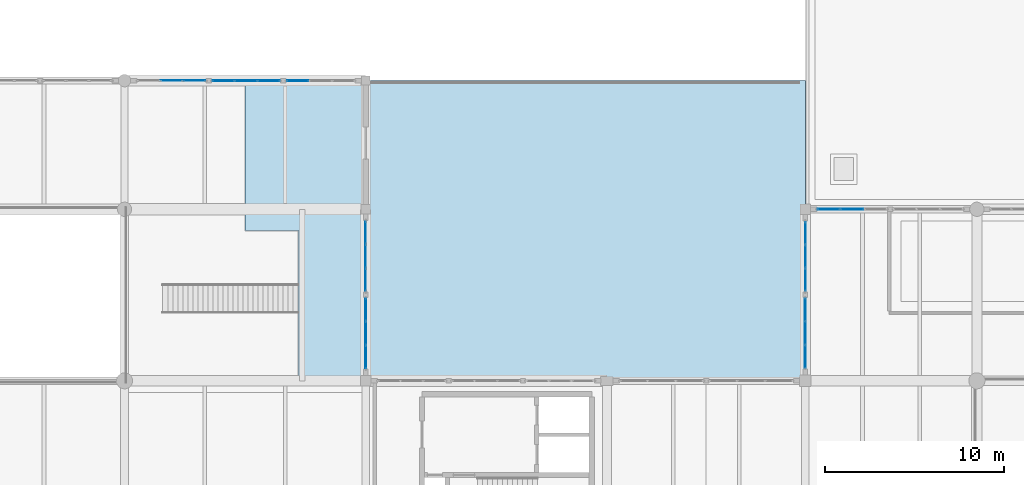
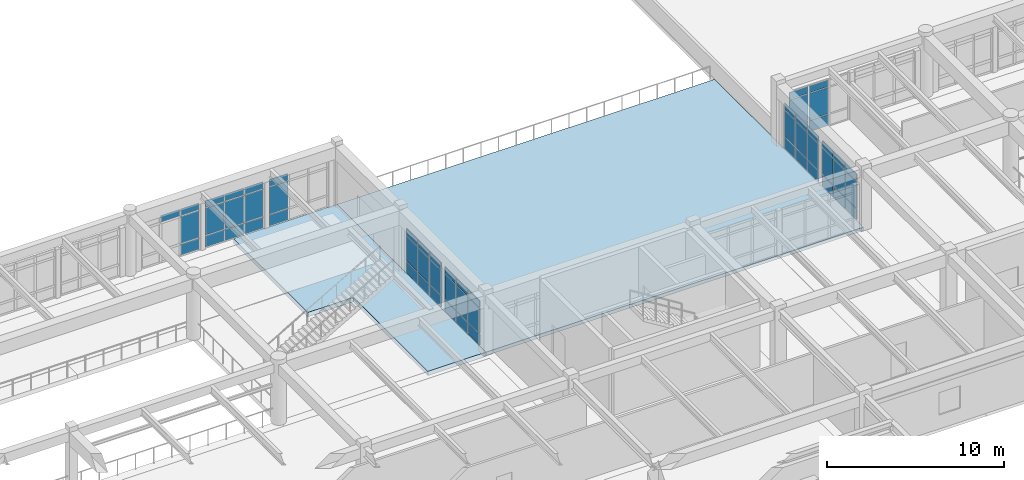
# One storey, part 73 of 109: 58 plates, 2 slabs, 8 elements without a shape of their own.
"""IFC4 building model written with IfcOpenShell, lengths in metres."""

from ifc_helpers import new_model, si_unit, direction, frame, origin, origin_2d, place, context, subcontext, project, spatial, polyline, rectangle, outline, extrude, material, layer, layer_set, type_object, element, aggregate, save


model = new_model("IFC4")

# Units and contexts
model_context = context("Model", 3, precision=1e-05, world=origin(), true_north=direction((0.0, 1.0)))
body_context = subcontext(model_context, "Body", "Model", "MODEL_VIEW")
ifc_project = project(units=[si_unit("LENGTHUNIT", "METRE"), si_unit("AREAUNIT", "SQUARE_METRE"), si_unit("VOLUMEUNIT", "CUBIC_METRE"), si_unit("PLANEANGLEUNIT", "RADIAN"), si_unit("MASSUNIT", "GRAM", prefix="KILO")], contexts=[model_context])

# Site, building, storey
site_placement = place(None, origin())
site = spatial("IfcSite", under=ifc_project, at=site_placement, CompositionType="ELEMENT")
building_placement = place(site_placement, origin())
building = spatial("IfcBuilding", under=site, at=building_placement, Name="Fikremerkos Civic Library", CompositionType="ELEMENT")
storey_placement = place(building_placement, frame((0.0, 0.0, 5.39990234375)))
storey = spatial("IfcBuildingStorey", under=building, at=storey_placement, Name="L01", CompositionType="ELEMENT", Elevation=5.39990234375)

# Curtain wall, plates
ifc_material_1 = material(Name="Anodized aluminium Frame", Category="aluminium")
ifc_layer_1 = layer(ifc_material_1, 0.159912109375, Name="Anodized aluminium Frame")
ifc_layer_set_1 = layer_set([ifc_layer_1], Name="Anodized aluminium Frame")
curtain_wall_type_1 = type_object("IfcCurtainWallType", Name="Unitised curtain wall CW-05 3800x4100", PredefinedType="USERDEFINED", material=ifc_layer_set_1)
curtain_wall_1_placement = place(storey_placement, origin())
curtain_wall_1 = element("IfcCurtainWall", 1, at=curtain_wall_1_placement, inside=storey, type_object=curtain_wall_type_1, Name="Unitised curtain wall CW-05 L01 #95", ObjectType="UNITISED CURTAIN WALL", PredefinedType="USERDEFINED")
ifc_material_2 = material(Name="Solar control double glazing", Category="glass")
ifc_layer_2 = layer(ifc_material_2, 0.028076171875, Name="Solar control double glazing")
ifc_layer_set_2 = layer_set([ifc_layer_2], Name="Solar control double glazing")
plate_type_1 = type_object("IfcPlateType", Name="Curtain glazing panel CWP-01 28", PredefinedType="CURTAIN_PANEL", material=ifc_layer_set_2)
plate_1_placement = place(storey_placement, frame((100.199951171875, 39.49169921875, 0.06005859375), z_axis=(0.0, 0.0, 1.0), x_axis=(0.0, -1.0, 0.0)))
plate_1 = element("IfcPlate", 2, at=plate_1_placement, type_object=plate_type_1, Name="CW-05 panel 1.1", PredefinedType="CURTAIN_PANEL", context=body_context, shape_type="SweptSolid", body=[
    extrude(rectangle(XDim=1.24072265625, YDim=0.028076171875, at=origin_2d()), origin(), (0.0, 0.0, 1.0), 0.760009765625),
])
plate_2_placement = place(storey_placement, frame((100.199951171875, 39.49169921875, 0.880126953125), z_axis=(0.0, 0.0, 1.0), x_axis=(0.0, -1.0, 0.0)))
plate_2 = element("IfcPlate", 3, at=plate_2_placement, type_object=plate_type_1, Name="CW-05 panel 1.2", PredefinedType="CURTAIN_PANEL", context=body_context, shape_type="SweptSolid", body=[
    extrude(rectangle(XDim=1.24072265625, YDim=0.028076171875, at=origin_2d()), origin(), (0.0, 0.0, 1.0), 1.7099609375),
])
plate_3_placement = place(storey_placement, frame((100.199951171875, 39.49169921875, 2.650146484375), z_axis=(0.0, 0.0, 1.0), x_axis=(0.0, -1.0, 0.0)))
plate_3 = element("IfcPlate", 4, at=plate_3_placement, type_object=plate_type_1, Name="CW-05 panel 1.3", PredefinedType="CURTAIN_PANEL", context=body_context, shape_type="SweptSolid", body=[
    extrude(rectangle(XDim=1.24072265625, YDim=0.028076171875, at=origin_2d()), origin(), (0.0, 0.0, 1.0), 0.4599609375),
])
plate_4_placement = place(storey_placement, frame((100.199951171875, 38.169677734375, 0.06005859375), z_axis=(0.0, 0.0, 1.0), x_axis=(0.0, -1.0, 0.0)))
plate_4 = element("IfcPlate", 5, at=plate_4_placement, type_object=plate_type_1, Name="CW-05 panel 2.1", PredefinedType="CURTAIN_PANEL", context=body_context, shape_type="SweptSolid", body=[
    extrude(rectangle(XDim=1.273193359375, YDim=0.028076171875, at=origin_2d()), origin(), (0.0, 0.0, 1.0), 0.760009765625),
])
plate_5_placement = place(storey_placement, frame((100.199951171875, 38.169677734375, 0.880126953125), z_axis=(0.0, 0.0, 1.0), x_axis=(0.0, -1.0, 0.0)))
plate_5 = element("IfcPlate", 6, at=plate_5_placement, type_object=plate_type_1, Name="CW-05 panel 2.2", PredefinedType="CURTAIN_PANEL", context=body_context, shape_type="SweptSolid", body=[
    extrude(rectangle(XDim=1.273193359375, YDim=0.028076171875, at=origin_2d()), origin(), (0.0, 0.0, 1.0), 1.7099609375),
])
plate_6_placement = place(storey_placement, frame((100.199951171875, 38.169677734375, 2.650146484375), z_axis=(0.0, 0.0, 1.0), x_axis=(0.0, -1.0, 0.0)))
plate_6 = element("IfcPlate", 7, at=plate_6_placement, type_object=plate_type_1, Name="CW-05 panel 2.3", PredefinedType="CURTAIN_PANEL", context=body_context, shape_type="SweptSolid", body=[
    extrude(rectangle(XDim=1.273193359375, YDim=0.028076171875, at=origin_2d()), origin(), (0.0, 0.0, 1.0), 0.4599609375),
])
plate_7_placement = place(storey_placement, frame((100.199951171875, 36.847900390625, 0.06005859375), z_axis=(0.0, 0.0, 1.0), x_axis=(0.0, -1.0, 0.0)))
plate_7 = element("IfcPlate", 8, at=plate_7_placement, type_object=plate_type_1, Name="CW-05 panel 3.1", PredefinedType="CURTAIN_PANEL", context=body_context, shape_type="SweptSolid", body=[
    extrude(rectangle(XDim=1.24072265625, YDim=0.028076171875, at=origin_2d()), origin(), (0.0, 0.0, 1.0), 0.760009765625),
])
plate_8_placement = place(storey_placement, frame((100.199951171875, 36.847900390625, 0.880126953125), z_axis=(0.0, 0.0, 1.0), x_axis=(0.0, -1.0, 0.0)))
plate_8 = element("IfcPlate", 9, at=plate_8_placement, type_object=plate_type_1, Name="CW-05 panel 3.2", PredefinedType="CURTAIN_PANEL", context=body_context, shape_type="SweptSolid", body=[
    extrude(rectangle(XDim=1.24072265625, YDim=0.028076171875, at=origin_2d()), origin(), (0.0, 0.0, 1.0), 1.7099609375),
])
plate_9_placement = place(storey_placement, frame((100.199951171875, 36.847900390625, 2.650146484375), z_axis=(0.0, 0.0, 1.0), x_axis=(0.0, -1.0, 0.0)))
plate_9 = element("IfcPlate", 10, at=plate_9_placement, type_object=plate_type_1, Name="CW-05 panel 3.3", PredefinedType="CURTAIN_PANEL", context=body_context, shape_type="SweptSolid", body=[
    extrude(rectangle(XDim=1.24072265625, YDim=0.028076171875, at=origin_2d()), origin(), (0.0, 0.0, 1.0), 0.4599609375),
])
aggregate(curtain_wall_1, [plate_1, plate_2, plate_3, plate_4, plate_5, plate_6, plate_7, plate_8, plate_9])

ifc_layer_3 = layer(ifc_material_1, 0.159912109375, Name="Anodized aluminium Frame")
ifc_layer_set_3 = layer_set([ifc_layer_3], Name="Anodized aluminium Frame")
curtain_wall_type_2 = type_object("IfcCurtainWallType", Name="Unitised curtain wall CW-13 3700x3200", PredefinedType="USERDEFINED", material=ifc_layer_set_3)
curtain_wall_2_placement = place(storey_placement, origin())
curtain_wall_2 = element("IfcCurtainWall", 11, at=curtain_wall_2_placement, inside=storey, type_object=curtain_wall_type_2, Name="Unitised curtain wall CW-13 L01 #103", ObjectType="UNITISED CURTAIN WALL", PredefinedType="USERDEFINED")
plate_10_placement = place(storey_placement, frame((124.800048828125, 36.84375, 0.06005859375), z_axis=(0.0, 0.0, 1.0), x_axis=(0.0, 1.0, 0.0)))
plate_10 = element("IfcPlate", 12, at=plate_10_placement, type_object=plate_type_1, Name="CW-13 panel 1.1", PredefinedType="CURTAIN_PANEL", context=body_context, shape_type="SweptSolid", body=[
    extrude(rectangle(XDim=1.232421875, YDim=0.028076171875, at=origin_2d()), origin(), (0.0, 0.0, 1.0), 0.760009765625),
])
plate_11_placement = place(storey_placement, frame((124.800048828125, 36.84375, 0.8798828125), z_axis=(0.0, 0.0, 1.0), x_axis=(0.0, 1.0, 0.0)))
plate_11 = element("IfcPlate", 13, at=plate_11_placement, type_object=plate_type_1, Name="CW-13 panel 1.2", PredefinedType="CURTAIN_PANEL", context=body_context, shape_type="SweptSolid", body=[
    extrude(rectangle(XDim=1.232421875, YDim=0.028076171875, at=origin_2d()), origin(), (0.0, 0.0, 1.0), 1.800048828125),
])
plate_12_placement = place(storey_placement, frame((124.800048828125, 36.84375, 2.740234375), z_axis=(0.0, 0.0, 1.0), x_axis=(0.0, 1.0, 0.0)))
plate_12 = element("IfcPlate", 14, at=plate_12_placement, type_object=plate_type_1, Name="CW-13 panel 1.3", PredefinedType="CURTAIN_PANEL", context=body_context, shape_type="SweptSolid", body=[
    extrude(rectangle(XDim=1.232421875, YDim=0.028076171875, at=origin_2d()), origin(), (0.0, 0.0, 1.0), 0.4599609375),
])
plate_13_placement = place(storey_placement, frame((124.800048828125, 38.1572265625, 0.06005859375), z_axis=(0.0, 0.0, 1.0), x_axis=(0.0, 1.0, 0.0)))
plate_13 = element("IfcPlate", 15, at=plate_13_placement, type_object=plate_type_1, Name="CW-13 panel 2.1", PredefinedType="CURTAIN_PANEL", context=body_context, shape_type="SweptSolid", body=[
    extrude(rectangle(XDim=1.264892578125, YDim=0.028076171875, at=origin_2d()), origin(), (0.0, 0.0, 1.0), 0.760009765625),
])
plate_14_placement = place(storey_placement, frame((124.800048828125, 38.1572265625, 0.8798828125), z_axis=(0.0, 0.0, 1.0), x_axis=(0.0, 1.0, 0.0)))
plate_14 = element("IfcPlate", 16, at=plate_14_placement, type_object=plate_type_1, Name="CW-13 panel 2.2", PredefinedType="CURTAIN_PANEL", context=body_context, shape_type="SweptSolid", body=[
    extrude(rectangle(XDim=1.264892578125, YDim=0.028076171875, at=origin_2d()), origin(), (0.0, 0.0, 1.0), 1.800048828125),
])
plate_15_placement = place(storey_placement, frame((124.800048828125, 38.1572265625, 2.740234375), z_axis=(0.0, 0.0, 1.0), x_axis=(0.0, 1.0, 0.0)))
plate_15 = element("IfcPlate", 17, at=plate_15_placement, type_object=plate_type_1, Name="CW-13 panel 2.3", PredefinedType="CURTAIN_PANEL", context=body_context, shape_type="SweptSolid", body=[
    extrude(rectangle(XDim=1.264892578125, YDim=0.028076171875, at=origin_2d()), origin(), (0.0, 0.0, 1.0), 0.4599609375),
])
plate_16_placement = place(storey_placement, frame((124.800048828125, 39.470947265625, 0.06005859375), z_axis=(0.0, 0.0, 1.0), x_axis=(0.0, 1.0, 0.0)))
plate_16 = element("IfcPlate", 18, at=plate_16_placement, type_object=plate_type_1, Name="CW-13 panel 3.1", PredefinedType="CURTAIN_PANEL", context=body_context, shape_type="SweptSolid", body=[
    extrude(rectangle(XDim=1.232421875, YDim=0.028076171875, at=origin_2d()), origin(), (0.0, 0.0, 1.0), 0.760009765625),
])
plate_17_placement = place(storey_placement, frame((124.800048828125, 39.470947265625, 0.8798828125), z_axis=(0.0, 0.0, 1.0), x_axis=(0.0, 1.0, 0.0)))
plate_17 = element("IfcPlate", 19, at=plate_17_placement, type_object=plate_type_1, Name="CW-13 panel 3.2", PredefinedType="CURTAIN_PANEL", context=body_context, shape_type="SweptSolid", body=[
    extrude(rectangle(XDim=1.232421875, YDim=0.028076171875, at=origin_2d()), origin(), (0.0, 0.0, 1.0), 1.800048828125),
])
plate_18_placement = place(storey_placement, frame((124.800048828125, 39.470947265625, 2.740234375), z_axis=(0.0, 0.0, 1.0), x_axis=(0.0, 1.0, 0.0)))
plate_18 = element("IfcPlate", 20, at=plate_18_placement, type_object=plate_type_1, Name="CW-13 panel 3.3", PredefinedType="CURTAIN_PANEL", context=body_context, shape_type="SweptSolid", body=[
    extrude(rectangle(XDim=1.232421875, YDim=0.028076171875, at=origin_2d()), origin(), (0.0, 0.0, 1.0), 0.4599609375),
])
aggregate(curtain_wall_2, [plate_10, plate_11, plate_12, plate_13, plate_14, plate_15, plate_16, plate_17, plate_18])

ifc_layer_4 = layer(ifc_material_1, 0.159912109375, Name="Anodized aluminium Frame")
ifc_layer_set_4 = layer_set([ifc_layer_4], Name="Anodized aluminium Frame")
curtain_wall_type_3 = type_object("IfcCurtainWallType", Name="Unitised curtain wall CW-02 3900x3600", PredefinedType="USERDEFINED", material=ifc_layer_set_4)
curtain_wall_3_placement = place(storey_placement, origin())
curtain_wall_3 = element("IfcCurtainWall", 21, at=curtain_wall_3_placement, inside=storey, type_object=curtain_wall_type_3, Name="Unitised curtain wall CW-02 L01 #92", ObjectType="UNITISED CURTAIN WALL", PredefinedType="USERDEFINED")
ifc_layer_5 = layer(ifc_material_2, 0.035888671875, Name="Solar control double glazing")
ifc_layer_set_5 = layer_set([ifc_layer_5], Name="Solar control double glazing")
plate_type_2 = type_object("IfcPlateType", Name="Curtain glazing panel CWP-02 36", PredefinedType="CURTAIN_PANEL", material=ifc_layer_set_5)
plate_19_placement = place(storey_placement, frame((89.33203125, 48.0, 2.794921875), z_axis=(0.0, 0.0, 1.0), x_axis=(1.0, 0.0, 0.0)))
plate_19 = element("IfcPlate", 22, at=plate_19_placement, type_object=plate_type_2, Name="CW-02 panel 2.3", PredefinedType="CURTAIN_PANEL", context=body_context, shape_type="SweptSolid", body=[
    extrude(rectangle(XDim=1.229248046875, YDim=0.035888671875, at=origin_2d()), origin(), (0.0, 0.0, 1.0), 0.445068359375),
])
plate_20_placement = place(storey_placement, frame((90.6064453125, 48.0, 0.070068359375), z_axis=(0.0, 0.0, 1.0), x_axis=(1.0, 0.0, 0.0)))
plate_20 = element("IfcPlate", 23, at=plate_20_placement, type_object=plate_type_2, Name="CW-02 panel 3.1", PredefinedType="CURTAIN_PANEL", context=body_context, shape_type="SweptSolid", body=[
    extrude(rectangle(XDim=1.19921875, YDim=0.035888671875, at=origin_2d()), origin(), (0.0, 0.0, 1.0), 0.7451171875),
])
plate_21_placement = place(storey_placement, frame((90.6064453125, 48.0, 0.88525390625), z_axis=(0.0, 0.0, 1.0), x_axis=(1.0, 0.0, 0.0)))
plate_21 = element("IfcPlate", 24, at=plate_21_placement, type_object=plate_type_2, Name="CW-02 panel 3.2", PredefinedType="CURTAIN_PANEL", context=body_context, shape_type="SweptSolid", body=[
    extrude(rectangle(XDim=1.19921875, YDim=0.035888671875, at=origin_2d()), origin(), (0.0, 0.0, 1.0), 1.840087890625),
])
plate_22_placement = place(storey_placement, frame((90.6064453125, 48.0, 2.794921875), z_axis=(0.0, 0.0, 1.0), x_axis=(1.0, 0.0, 0.0)))
plate_22 = element("IfcPlate", 25, at=plate_22_placement, type_object=plate_type_2, Name="CW-02 panel 3.3", PredefinedType="CURTAIN_PANEL", context=body_context, shape_type="SweptSolid", body=[
    extrude(rectangle(XDim=1.19921875, YDim=0.035888671875, at=origin_2d()), origin(), (0.0, 0.0, 1.0), 0.445068359375),
])
aggregate(curtain_wall_3, [plate_19, plate_20, plate_21, plate_22])

ifc_layer_6 = layer(ifc_material_1, 0.159912109375, Name="Anodized aluminium Frame")
ifc_layer_set_6 = layer_set([ifc_layer_6], Name="Anodized aluminium Frame")
curtain_wall_type_4 = type_object("IfcCurtainWallType", Name="Unitised curtain wall CW-06 4200x4100", PredefinedType="USERDEFINED", material=ifc_layer_set_6)
curtain_wall_4_placement = place(storey_placement, origin())
curtain_wall_4 = element("IfcCurtainWall", 26, at=curtain_wall_4_placement, inside=storey, type_object=curtain_wall_type_4, Name="Unitised curtain wall CW-06 L01 #96", ObjectType="UNITISED CURTAIN WALL", PredefinedType="USERDEFINED")
plate_23_placement = place(storey_placement, frame((100.199951171875, 35.178466796875, 0.06005859375), z_axis=(0.0, 0.0, 1.0), x_axis=(0.0, -1.0, 0.0)))
plate_23 = element("IfcPlate", 27, at=plate_23_placement, type_object=plate_type_2, Name="CW-06 panel 1.1", PredefinedType="CURTAIN_PANEL", context=body_context, shape_type="SweptSolid", body=[
    extrude(rectangle(XDim=1.248046875, YDim=0.035888671875, at=origin_2d()), origin(), (0.0, 0.0, 1.0), 0.760009765625),
])
plate_24_placement = place(storey_placement, frame((100.199951171875, 35.178466796875, 0.880126953125), z_axis=(0.0, 0.0, 1.0), x_axis=(0.0, -1.0, 0.0)))
plate_24 = element("IfcPlate", 28, at=plate_24_placement, type_object=plate_type_2, Name="CW-06 panel 1.2", PredefinedType="CURTAIN_PANEL", context=body_context, shape_type="SweptSolid", body=[
    extrude(rectangle(XDim=1.248046875, YDim=0.035888671875, at=origin_2d()), origin(), (0.0, 0.0, 1.0), 1.7099609375),
])
plate_25_placement = place(storey_placement, frame((100.199951171875, 35.178466796875, 2.650146484375), z_axis=(0.0, 0.0, 1.0), x_axis=(0.0, -1.0, 0.0)))
plate_25 = element("IfcPlate", 29, at=plate_25_placement, type_object=plate_type_2, Name="CW-06 panel 1.3", PredefinedType="CURTAIN_PANEL", context=body_context, shape_type="SweptSolid", body=[
    extrude(rectangle(XDim=1.248046875, YDim=0.035888671875, at=origin_2d()), origin(), (0.0, 0.0, 1.0), 0.4599609375),
])
plate_26_placement = place(storey_placement, frame((100.199951171875, 33.855224609375, 0.06005859375), z_axis=(0.0, 0.0, 1.0), x_axis=(0.0, -1.0, 0.0)))
plate_26 = element("IfcPlate", 30, at=plate_26_placement, type_object=plate_type_2, Name="CW-06 panel 2.1", PredefinedType="CURTAIN_PANEL", context=body_context, shape_type="SweptSolid", body=[
    extrude(rectangle(XDim=1.278076171875, YDim=0.035888671875, at=origin_2d()), origin(), (0.0, 0.0, 1.0), 0.760009765625),
])
plate_27_placement = place(storey_placement, frame((100.199951171875, 33.855224609375, 0.880126953125), z_axis=(0.0, 0.0, 1.0), x_axis=(0.0, -1.0, 0.0)))
plate_27 = element("IfcPlate", 31, at=plate_27_placement, type_object=plate_type_2, Name="CW-06 panel 2.2", PredefinedType="CURTAIN_PANEL", context=body_context, shape_type="SweptSolid", body=[
    extrude(rectangle(XDim=1.278076171875, YDim=0.035888671875, at=origin_2d()), origin(), (0.0, 0.0, 1.0), 1.7099609375),
])
plate_28_placement = place(storey_placement, frame((100.199951171875, 33.855224609375, 2.650146484375), z_axis=(0.0, 0.0, 1.0), x_axis=(0.0, -1.0, 0.0)))
plate_28 = element("IfcPlate", 32, at=plate_28_placement, type_object=plate_type_2, Name="CW-06 panel 2.3", PredefinedType="CURTAIN_PANEL", context=body_context, shape_type="SweptSolid", body=[
    extrude(rectangle(XDim=1.278076171875, YDim=0.035888671875, at=origin_2d()), origin(), (0.0, 0.0, 1.0), 0.4599609375),
])
plate_29_placement = place(storey_placement, frame((100.199951171875, 32.531982421875, 0.06005859375), z_axis=(0.0, 0.0, 1.0), x_axis=(0.0, -1.0, 0.0)))
plate_29 = element("IfcPlate", 33, at=plate_29_placement, type_object=plate_type_2, Name="CW-06 panel 3.1", PredefinedType="CURTAIN_PANEL", context=body_context, shape_type="SweptSolid", body=[
    extrude(rectangle(XDim=1.248046875, YDim=0.035888671875, at=origin_2d()), origin(), (0.0, 0.0, 1.0), 0.760009765625),
])
plate_30_placement = place(storey_placement, frame((100.199951171875, 32.531982421875, 0.880126953125), z_axis=(0.0, 0.0, 1.0), x_axis=(0.0, -1.0, 0.0)))
plate_30 = element("IfcPlate", 34, at=plate_30_placement, type_object=plate_type_2, Name="CW-06 panel 3.2", PredefinedType="CURTAIN_PANEL", context=body_context, shape_type="SweptSolid", body=[
    extrude(rectangle(XDim=1.248046875, YDim=0.035888671875, at=origin_2d()), origin(), (0.0, 0.0, 1.0), 1.7099609375),
])
plate_31_placement = place(storey_placement, frame((100.199951171875, 32.531982421875, 2.650146484375), z_axis=(0.0, 0.0, 1.0), x_axis=(0.0, -1.0, 0.0)))
plate_31 = element("IfcPlate", 35, at=plate_31_placement, type_object=plate_type_2, Name="CW-06 panel 3.3", PredefinedType="CURTAIN_PANEL", context=body_context, shape_type="SweptSolid", body=[
    extrude(rectangle(XDim=1.248046875, YDim=0.035888671875, at=origin_2d()), origin(), (0.0, 0.0, 1.0), 0.4599609375),
])
aggregate(curtain_wall_4, [plate_23, plate_24, plate_25, plate_26, plate_27, plate_28, plate_29, plate_30, plate_31])

ifc_layer_7 = layer(ifc_material_1, 0.159912109375, Name="Anodized aluminium Frame")
ifc_layer_set_7 = layer_set([ifc_layer_7], Name="Anodized aluminium Frame")
curtain_wall_type_5 = type_object("IfcCurtainWallType", Name="Unitised curtain wall CW-14 4100x3200", PredefinedType="USERDEFINED", material=ifc_layer_set_7)
curtain_wall_5_placement = place(storey_placement, origin())
curtain_wall_5 = element("IfcCurtainWall", 36, at=curtain_wall_5_placement, inside=storey, type_object=curtain_wall_type_5, Name="Unitised curtain wall CW-14 L01 #104", ObjectType="UNITISED CURTAIN WALL", PredefinedType="USERDEFINED")
plate_32_placement = place(storey_placement, frame((126.12158203125, 40.800048828125, 0.06005859375), z_axis=(0.0, 0.0, 1.0), x_axis=(1.0, 0.0, 0.0)))
plate_32 = element("IfcPlate", 37, at=plate_32_placement, type_object=plate_type_2, Name="CW-14 panel 1.1", PredefinedType="CURTAIN_PANEL", context=body_context, shape_type="SweptSolid", body=[
    extrude(rectangle(XDim=1.227294921875, YDim=0.035888671875, at=origin_2d()), origin(), (0.0, 0.0, 1.0), 0.760009765625),
])
plate_33_placement = place(storey_placement, frame((126.12158203125, 40.800048828125, 0.8798828125), z_axis=(0.0, 0.0, 1.0), x_axis=(1.0, 0.0, 0.0)))
plate_33 = element("IfcPlate", 38, at=plate_33_placement, type_object=plate_type_2, Name="CW-14 panel 1.2", PredefinedType="CURTAIN_PANEL", context=body_context, shape_type="SweptSolid", body=[
    extrude(rectangle(XDim=1.227294921875, YDim=0.035888671875, at=origin_2d()), origin(), (0.0, 0.0, 1.0), 1.800048828125),
])
plate_34_placement = place(storey_placement, frame((126.12158203125, 40.800048828125, 2.740234375), z_axis=(0.0, 0.0, 1.0), x_axis=(1.0, 0.0, 0.0)))
plate_34 = element("IfcPlate", 39, at=plate_34_placement, type_object=plate_type_2, Name="CW-14 panel 1.3", PredefinedType="CURTAIN_PANEL", context=body_context, shape_type="SweptSolid", body=[
    extrude(rectangle(XDim=1.227294921875, YDim=0.035888671875, at=origin_2d()), origin(), (0.0, 0.0, 1.0), 0.4599609375),
])
plate_35_placement = place(storey_placement, frame((127.424072265625, 40.800048828125, 0.06005859375), z_axis=(0.0, 0.0, 1.0), x_axis=(1.0, 0.0, 0.0)))
plate_35 = element("IfcPlate", 40, at=plate_35_placement, type_object=plate_type_2, Name="CW-14 panel 2.1", PredefinedType="CURTAIN_PANEL", context=body_context, shape_type="SweptSolid", body=[
    extrude(rectangle(XDim=1.25732421875, YDim=0.035888671875, at=origin_2d()), origin(), (0.0, 0.0, 1.0), 0.760009765625),
])
plate_36_placement = place(storey_placement, frame((127.424072265625, 40.800048828125, 0.8798828125), z_axis=(0.0, 0.0, 1.0), x_axis=(1.0, 0.0, 0.0)))
plate_36 = element("IfcPlate", 41, at=plate_36_placement, type_object=plate_type_2, Name="CW-14 panel 2.2", PredefinedType="CURTAIN_PANEL", context=body_context, shape_type="SweptSolid", body=[
    extrude(rectangle(XDim=1.25732421875, YDim=0.035888671875, at=origin_2d()), origin(), (0.0, 0.0, 1.0), 1.800048828125),
])
plate_37_placement = place(storey_placement, frame((127.424072265625, 40.800048828125, 2.740234375), z_axis=(0.0, 0.0, 1.0), x_axis=(1.0, 0.0, 0.0)))
plate_37 = element("IfcPlate", 42, at=plate_37_placement, type_object=plate_type_2, Name="CW-14 panel 2.3", PredefinedType="CURTAIN_PANEL", context=body_context, shape_type="SweptSolid", body=[
    extrude(rectangle(XDim=1.25732421875, YDim=0.035888671875, at=origin_2d()), origin(), (0.0, 0.0, 1.0), 0.4599609375),
])
aggregate(curtain_wall_5, [plate_32, plate_33, plate_34, plate_35, plate_36, plate_37])

ifc_layer_8 = layer(ifc_material_1, 0.159912109375, Name="Anodized aluminium Frame")
ifc_layer_set_8 = layer_set([ifc_layer_8], Name="Anodized aluminium Frame")
curtain_wall_type_6 = type_object("IfcCurtainWallType", Name="Unitised curtain wall CW-03 4100x3600", PredefinedType="USERDEFINED", material=ifc_layer_set_8)
curtain_wall_6_placement = place(storey_placement, origin())
curtain_wall_6 = element("IfcCurtainWall", 43, at=curtain_wall_6_placement, inside=storey, type_object=curtain_wall_type_6, Name="Unitised curtain wall CW-03 L01 #93", ObjectType="UNITISED CURTAIN WALL", PredefinedType="USERDEFINED")
ifc_material_3 = material(Name="Insulated aluminium spandrel", Category="aluminium")
ifc_layer_9 = layer(ifc_material_3, 0.044921875, Name="Insulated aluminium spandrel")
ifc_layer_set_9 = layer_set([ifc_layer_9], Name="Insulated aluminium spandrel")
plate_type_3 = type_object("IfcPlateType", Name="Curtain spandrel panel CSP-01 45", PredefinedType="CURTAIN_PANEL", material=ifc_layer_set_9)
plate_38_placement = place(storey_placement, frame((92.2255859375, 48.0, 0.065185546875), z_axis=(0.0, 0.0, 1.0), x_axis=(1.0, 0.0, 0.0)))
plate_38 = element("IfcPlate", 44, at=plate_38_placement, type_object=plate_type_3, Name="CW-03 panel 1.1", PredefinedType="CURTAIN_PANEL", context=body_context, shape_type="SweptSolid", body=[
    extrude(rectangle(XDim=1.19921875, YDim=0.044921875, at=origin_2d()), origin(), (0.0, 0.0, 1.0), 0.75244140625),
])
plate_39_placement = place(storey_placement, frame((92.2255859375, 48.0, 0.8828125), z_axis=(0.0, 0.0, 1.0), x_axis=(1.0, 0.0, 0.0)))
plate_39 = element("IfcPlate", 45, at=plate_39_placement, type_object=plate_type_3, Name="CW-03 panel 1.2", PredefinedType="CURTAIN_PANEL", context=body_context, shape_type="SweptSolid", body=[
    extrude(rectangle(XDim=1.19921875, YDim=0.044921875, at=origin_2d()), origin(), (0.0, 0.0, 1.0), 1.844970703125),
])
plate_40_placement = place(storey_placement, frame((92.2255859375, 48.0, 2.79248046875), z_axis=(0.0, 0.0, 1.0), x_axis=(1.0, 0.0, 0.0)))
plate_40 = element("IfcPlate", 46, at=plate_40_placement, type_object=plate_type_3, Name="CW-03 panel 1.3", PredefinedType="CURTAIN_PANEL", context=body_context, shape_type="SweptSolid", body=[
    extrude(rectangle(XDim=1.19921875, YDim=0.044921875, at=origin_2d()), origin(), (0.0, 0.0, 1.0), 0.452392578125),
])
plate_41_placement = place(storey_placement, frame((93.5, 48.0, 0.065185546875), z_axis=(0.0, 0.0, 1.0), x_axis=(1.0, 0.0, 0.0)))
plate_41 = element("IfcPlate", 47, at=plate_41_placement, type_object=plate_type_3, Name="CW-03 panel 2.1", PredefinedType="CURTAIN_PANEL", context=body_context, shape_type="SweptSolid", body=[
    extrude(rectangle(XDim=1.229248046875, YDim=0.044921875, at=origin_2d()), origin(), (0.0, 0.0, 1.0), 0.75244140625),
])
plate_42_placement = place(storey_placement, frame((93.5, 48.0, 0.8828125), z_axis=(0.0, 0.0, 1.0), x_axis=(1.0, 0.0, 0.0)))
plate_42 = element("IfcPlate", 48, at=plate_42_placement, type_object=plate_type_3, Name="CW-03 panel 2.2", PredefinedType="CURTAIN_PANEL", context=body_context, shape_type="SweptSolid", body=[
    extrude(rectangle(XDim=1.229248046875, YDim=0.044921875, at=origin_2d()), origin(), (0.0, 0.0, 1.0), 1.844970703125),
])
plate_43_placement = place(storey_placement, frame((93.5, 48.0, 2.79248046875), z_axis=(0.0, 0.0, 1.0), x_axis=(1.0, 0.0, 0.0)))
plate_43 = element("IfcPlate", 49, at=plate_43_placement, type_object=plate_type_3, Name="CW-03 panel 2.3", PredefinedType="CURTAIN_PANEL", context=body_context, shape_type="SweptSolid", body=[
    extrude(rectangle(XDim=1.229248046875, YDim=0.044921875, at=origin_2d()), origin(), (0.0, 0.0, 1.0), 0.452392578125),
])
plate_44_placement = place(storey_placement, frame((94.7744140625, 48.0, 0.065185546875), z_axis=(0.0, 0.0, 1.0), x_axis=(1.0, 0.0, 0.0)))
plate_44 = element("IfcPlate", 50, at=plate_44_placement, type_object=plate_type_3, Name="CW-03 panel 3.1", PredefinedType="CURTAIN_PANEL", context=body_context, shape_type="SweptSolid", body=[
    extrude(rectangle(XDim=1.19921875, YDim=0.044921875, at=origin_2d()), origin(), (0.0, 0.0, 1.0), 0.75244140625),
])
plate_45_placement = place(storey_placement, frame((94.7744140625, 48.0, 0.8828125), z_axis=(0.0, 0.0, 1.0), x_axis=(1.0, 0.0, 0.0)))
plate_45 = element("IfcPlate", 51, at=plate_45_placement, type_object=plate_type_3, Name="CW-03 panel 3.2", PredefinedType="CURTAIN_PANEL", context=body_context, shape_type="SweptSolid", body=[
    extrude(rectangle(XDim=1.19921875, YDim=0.044921875, at=origin_2d()), origin(), (0.0, 0.0, 1.0), 1.844970703125),
])
plate_46_placement = place(storey_placement, frame((94.7744140625, 48.0, 2.79248046875), z_axis=(0.0, 0.0, 1.0), x_axis=(1.0, 0.0, 0.0)))
plate_46 = element("IfcPlate", 52, at=plate_46_placement, type_object=plate_type_3, Name="CW-03 panel 3.3", PredefinedType="CURTAIN_PANEL", context=body_context, shape_type="SweptSolid", body=[
    extrude(rectangle(XDim=1.19921875, YDim=0.044921875, at=origin_2d()), origin(), (0.0, 0.0, 1.0), 0.452392578125),
])
aggregate(curtain_wall_6, [plate_38, plate_39, plate_40, plate_41, plate_42, plate_43, plate_44, plate_45, plate_46])

ifc_layer_10 = layer(ifc_material_1, 0.159912109375, Name="Anodized aluminium Frame")
ifc_layer_set_10 = layer_set([ifc_layer_10], Name="Anodized aluminium Frame")
curtain_wall_type_7 = type_object("IfcCurtainWallType", Name="Unitised curtain wall CW-04 3400x3600", PredefinedType="USERDEFINED", material=ifc_layer_set_10)
curtain_wall_7_placement = place(storey_placement, origin())
curtain_wall_7 = element("IfcCurtainWall", 53, at=curtain_wall_7_placement, inside=storey, type_object=curtain_wall_type_7, Name="Unitised curtain wall CW-04 L01 #94", ObjectType="UNITISED CURTAIN WALL", PredefinedType="USERDEFINED")
ifc_layer_11 = layer(ifc_material_3, 0.054931640625, Name="Insulated aluminium spandrel")
ifc_layer_set_11 = layer_set([ifc_layer_11], Name="Insulated aluminium spandrel")
plate_type_4 = type_object("IfcPlateType", Name="Curtain spandrel panel CSP-02 55", PredefinedType="CURTAIN_PANEL", material=ifc_layer_set_11)
plate_47_placement = place(storey_placement, frame((96.3935546875, 48.0, 0.065185546875), z_axis=(0.0, 0.0, 1.0), x_axis=(1.0, 0.0, 0.0)))
plate_47 = element("IfcPlate", 54, at=plate_47_placement, type_object=plate_type_4, Name="CW-04 panel 1.1", PredefinedType="CURTAIN_PANEL", context=body_context, shape_type="SweptSolid", body=[
    extrude(rectangle(XDim=1.19921875, YDim=0.054931640625, at=origin_2d()), origin(), (0.0, 0.0, 1.0), 0.75244140625),
])
plate_48_placement = place(storey_placement, frame((96.3935546875, 48.0, 0.8828125), z_axis=(0.0, 0.0, 1.0), x_axis=(1.0, 0.0, 0.0)))
plate_48 = element("IfcPlate", 55, at=plate_48_placement, type_object=plate_type_4, Name="CW-04 panel 1.2", PredefinedType="CURTAIN_PANEL", context=body_context, shape_type="SweptSolid", body=[
    extrude(rectangle(XDim=1.19921875, YDim=0.054931640625, at=origin_2d()), origin(), (0.0, 0.0, 1.0), 1.844970703125),
])
plate_49_placement = place(storey_placement, frame((96.3935546875, 48.0, 2.79248046875), z_axis=(0.0, 0.0, 1.0), x_axis=(1.0, 0.0, 0.0)))
plate_49 = element("IfcPlate", 56, at=plate_49_placement, type_object=plate_type_4, Name="CW-04 panel 1.3", PredefinedType="CURTAIN_PANEL", context=body_context, shape_type="SweptSolid", body=[
    extrude(rectangle(XDim=1.19921875, YDim=0.054931640625, at=origin_2d()), origin(), (0.0, 0.0, 1.0), 0.452392578125),
])
aggregate(curtain_wall_7, [plate_47, plate_48, plate_49])

ifc_layer_12 = layer(ifc_material_1, 0.159912109375, Name="Anodized aluminium Frame")
ifc_layer_set_12 = layer_set([ifc_layer_12], Name="Anodized aluminium Frame")
curtain_wall_type_8 = type_object("IfcCurtainWallType", Name="Unitised curtain wall CW-12 4300x3400", PredefinedType="USERDEFINED", material=ifc_layer_set_12)
curtain_wall_8_placement = place(storey_placement, origin())
curtain_wall_8 = element("IfcCurtainWall", 57, at=curtain_wall_8_placement, inside=storey, type_object=curtain_wall_type_8, Name="Unitised curtain wall CW-12 L01 #102", ObjectType="UNITISED CURTAIN WALL", PredefinedType="USERDEFINED")
plate_50_placement = place(storey_placement, frame((124.800048828125, 32.552978515625, 0.065185546875), z_axis=(0.0, 0.0, 1.0), x_axis=(0.0, 1.0, 0.0)))
plate_50 = element("IfcPlate", 58, at=plate_50_placement, type_object=plate_type_4, Name="CW-12 panel 1.1", PredefinedType="CURTAIN_PANEL", context=body_context, shape_type="SweptSolid", body=[
    extrude(rectangle(XDim=1.23974609375, YDim=0.054931640625, at=origin_2d()), origin(), (0.0, 0.0, 1.0), 0.75244140625),
])
plate_51_placement = place(storey_placement, frame((124.800048828125, 32.552978515625, 0.882568359375), z_axis=(0.0, 0.0, 1.0), x_axis=(0.0, 1.0, 0.0)))
plate_51 = element("IfcPlate", 59, at=plate_51_placement, type_object=plate_type_4, Name="CW-12 panel 1.2", PredefinedType="CURTAIN_PANEL", context=body_context, shape_type="SweptSolid", body=[
    extrude(rectangle(XDim=1.23974609375, YDim=0.054931640625, at=origin_2d()), origin(), (0.0, 0.0, 1.0), 1.794921875),
])
plate_52_placement = place(storey_placement, frame((124.800048828125, 32.552978515625, 2.74267578125), z_axis=(0.0, 0.0, 1.0), x_axis=(0.0, 1.0, 0.0)))
plate_52 = element("IfcPlate", 60, at=plate_52_placement, type_object=plate_type_4, Name="CW-12 panel 1.3", PredefinedType="CURTAIN_PANEL", context=body_context, shape_type="SweptSolid", body=[
    extrude(rectangle(XDim=1.23974609375, YDim=0.054931640625, at=origin_2d()), origin(), (0.0, 0.0, 1.0), 0.452392578125),
])
plate_53_placement = place(storey_placement, frame((124.800048828125, 33.86767578125, 0.065185546875), z_axis=(0.0, 0.0, 1.0), x_axis=(0.0, 1.0, 0.0)))
plate_53 = element("IfcPlate", 61, at=plate_53_placement, type_object=plate_type_4, Name="CW-12 panel 2.1", PredefinedType="CURTAIN_PANEL", context=body_context, shape_type="SweptSolid", body=[
    extrude(rectangle(XDim=1.269775390625, YDim=0.054931640625, at=origin_2d()), origin(), (0.0, 0.0, 1.0), 0.75244140625),
])
plate_54_placement = place(storey_placement, frame((124.800048828125, 33.86767578125, 0.882568359375), z_axis=(0.0, 0.0, 1.0), x_axis=(0.0, 1.0, 0.0)))
plate_54 = element("IfcPlate", 62, at=plate_54_placement, type_object=plate_type_4, Name="CW-12 panel 2.2", PredefinedType="CURTAIN_PANEL", context=body_context, shape_type="SweptSolid", body=[
    extrude(rectangle(XDim=1.269775390625, YDim=0.054931640625, at=origin_2d()), origin(), (0.0, 0.0, 1.0), 1.794921875),
])
plate_55_placement = place(storey_placement, frame((124.800048828125, 33.86767578125, 2.74267578125), z_axis=(0.0, 0.0, 1.0), x_axis=(0.0, 1.0, 0.0)))
plate_55 = element("IfcPlate", 63, at=plate_55_placement, type_object=plate_type_4, Name="CW-12 panel 2.3", PredefinedType="CURTAIN_PANEL", context=body_context, shape_type="SweptSolid", body=[
    extrude(rectangle(XDim=1.269775390625, YDim=0.054931640625, at=origin_2d()), origin(), (0.0, 0.0, 1.0), 0.452392578125),
])
plate_56_placement = place(storey_placement, frame((124.800048828125, 35.1826171875, 0.065185546875), z_axis=(0.0, 0.0, 1.0), x_axis=(0.0, 1.0, 0.0)))
plate_56 = element("IfcPlate", 64, at=plate_56_placement, type_object=plate_type_4, Name="CW-12 panel 3.1", PredefinedType="CURTAIN_PANEL", context=body_context, shape_type="SweptSolid", body=[
    extrude(rectangle(XDim=1.23974609375, YDim=0.054931640625, at=origin_2d()), origin(), (0.0, 0.0, 1.0), 0.75244140625),
])
plate_57_placement = place(storey_placement, frame((124.800048828125, 35.1826171875, 0.882568359375), z_axis=(0.0, 0.0, 1.0), x_axis=(0.0, 1.0, 0.0)))
plate_57 = element("IfcPlate", 65, at=plate_57_placement, type_object=plate_type_4, Name="CW-12 panel 3.2", PredefinedType="CURTAIN_PANEL", context=body_context, shape_type="SweptSolid", body=[
    extrude(rectangle(XDim=1.23974609375, YDim=0.054931640625, at=origin_2d()), origin(), (0.0, 0.0, 1.0), 1.794921875),
])
plate_58_placement = place(storey_placement, frame((124.800048828125, 35.1826171875, 2.74267578125), z_axis=(0.0, 0.0, 1.0), x_axis=(0.0, 1.0, 0.0)))
plate_58 = element("IfcPlate", 66, at=plate_58_placement, type_object=plate_type_4, Name="CW-12 panel 3.3", PredefinedType="CURTAIN_PANEL", context=body_context, shape_type="SweptSolid", body=[
    extrude(rectangle(XDim=1.23974609375, YDim=0.054931640625, at=origin_2d()), origin(), (0.0, 0.0, 1.0), 0.452392578125),
])
aggregate(curtain_wall_8, [plate_50, plate_51, plate_52, plate_53, plate_54, plate_55, plate_56, plate_57, plate_58])

# Slabs
ifc_material_4 = material(Name="Concrete C40/50", Category="concrete")
ifc_layer_13 = layer(ifc_material_4, 0.239990234375, Name="Concrete C40/50")
ifc_layer_set_13 = layer_set([ifc_layer_13], Name="Concrete C40/50")
slab_type_1 = type_object("IfcSlabType", Name="External terrace slab ETS-01 240", PredefinedType="FLOOR", material=ifc_layer_set_13)
slab_1_placement = place(storey_placement, frame((0.0, 0.0, -0.239990234375)))
element("IfcSlab", 67, at=slab_1_placement, inside=storey, type_object=slab_type_1, Name="Reading terrace slab ETS-01 L01-TERR-01", PredefinedType="FLOOR", context=body_context, shape_type="SweptSolid", body=[
    extrude(outline(polyline([(100.199951171875, 31.199951171875), (124.800048828125, 31.199951171875), (124.800048828125, 48.0), (100.199951171875, 48.0), (100.199951171875, 31.199951171875)])), origin(), (0.0, 0.0, 1.0), 0.239990234375),
])
ifc_layer_14 = layer(ifc_material_4, 0.300048828125, Name="Concrete C40/50")
ifc_layer_set_14 = layer_set([ifc_layer_14], Name="Concrete C40/50")
slab_type_2 = type_object("IfcSlabType", Name="Suspended floor slab SFS-03 300", PredefinedType="FLOOR", material=ifc_layer_set_14)
slab_2_placement = place(storey_placement, frame((0.0, 0.0, -0.2998046875)))
element("IfcSlab", 68, at=slab_2_placement, inside=storey, type_object=slab_type_2, Name="Floor slab SFS-03 SLB-L01-V4-A-3L2", PredefinedType="FLOOR", context=body_context, shape_type="SweptSolid", body=[
    extrude(outline(polyline([(96.424072265625, 31.199951171875), (100.199951171875, 31.199951171875), (100.199951171875, 48.0), (93.4541015625, 48.0), (93.4541015625, 39.60400390625), (96.424072265625, 39.60400390625), (96.424072265625, 31.199951171875)])), origin(), (0.0, 0.0, 1.0), 0.2998046875),
])

save(model, "model.ifc")
